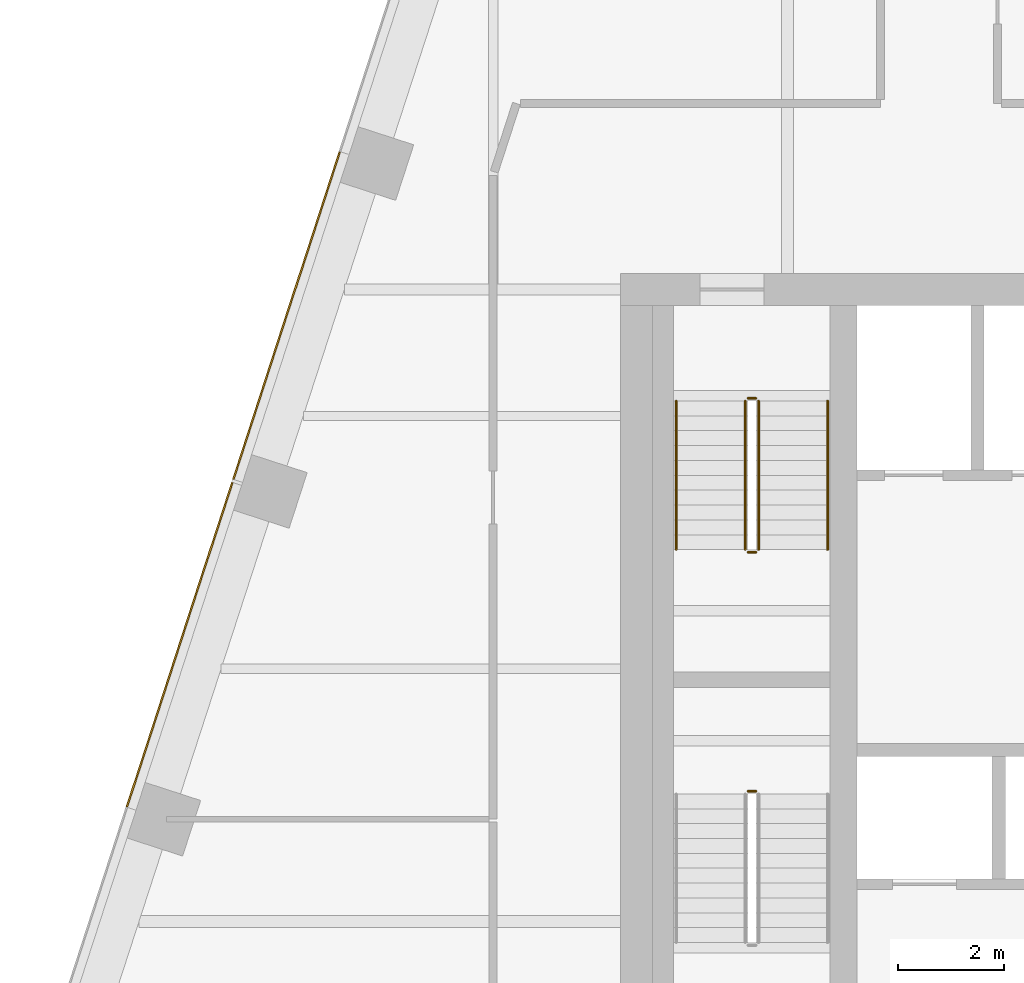
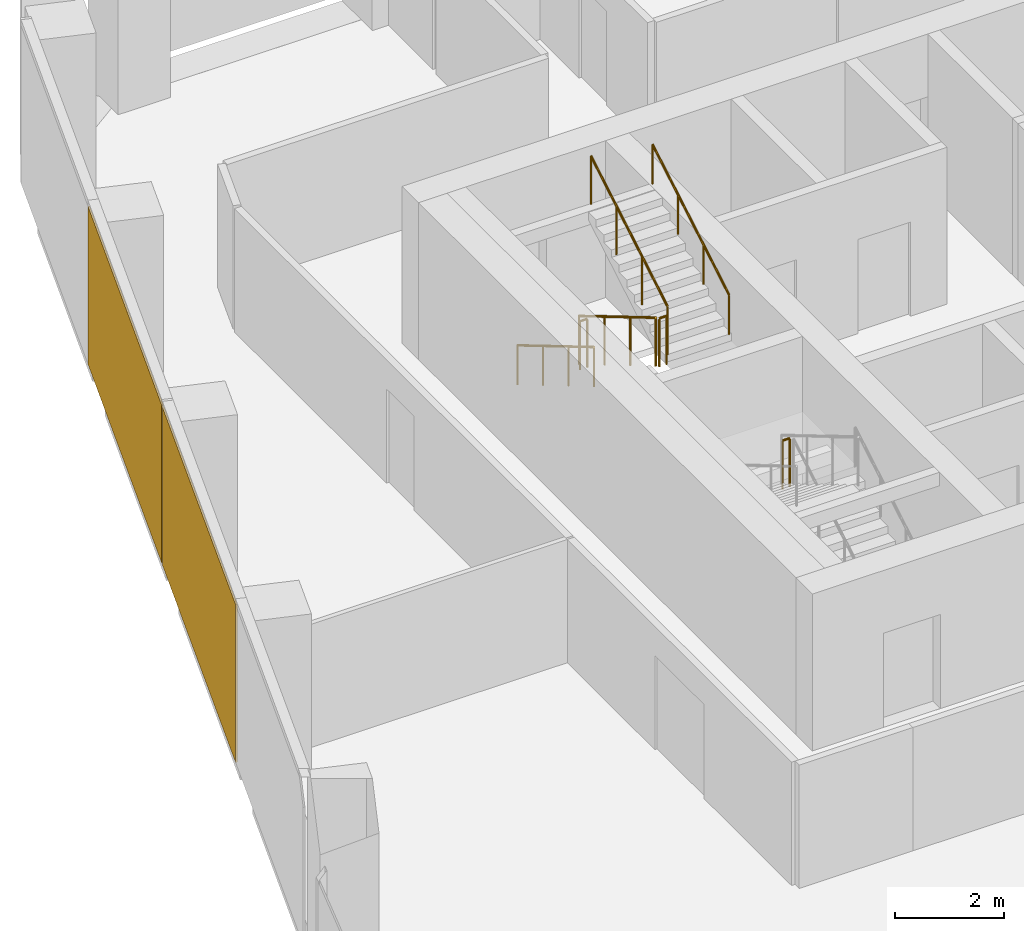
# One storey, part 14 of 15: 7 railings, 2 coverings, 1 element without a shape of its own.
"""IFC4 building model written with IfcOpenShell, lengths in metres."""

import ifcopenshell
import ifcopenshell.guid

model = None  # the IFC model being written
_history = None  # IfcOwnerHistory: only IFC2X3 demands one
_inside = {}  # id of a spatial element -> (the spatial element, [elements in it])
_under = {}  # id of a project, library or spatial element -> (it, [spatial elements below it])
_declared = {}  # id of a project -> (the project, [libraries it declares])
_typed = {}  # id of a type object -> (the type object, [elements of that type])
_made_of = {}  # id of a material, layer set ... -> (it, [elements and type objects made of it])


def new_model(schema):
    """Start an empty IFC model of exactly this schema.

    Asked for "IFC4X3", IfcOpenShell would pick the latest addendum, in which some entities
    have other attributes; the version numbers below select the first issue.
    IFC2X3 requires an IfcOwnerHistory on every rooted entity: one is made here for all.
    """
    global model, _history
    if schema == "IFC4X3":
        model = ifcopenshell.file(schema_version=(4, 3, 0, 0))
    else:
        model = ifcopenshell.file(schema=schema)
    _inside.clear()
    _under.clear()
    _declared.clear()
    _typed.clear()
    _made_of.clear()
    _history = None
    if model.schema == "IFC2X3":
        org = make("IfcOrganization", Name="unknown")
        user = make(
            "IfcPersonAndOrganization",
            ThePerson=make("IfcPerson", FamilyName="unknown"),
            TheOrganization=org,
        )
        app = make(
            "IfcApplication",
            ApplicationDeveloper=org,
            Version="unknown",
            ApplicationFullName="unknown",
            ApplicationIdentifier="unknown",
        )
        _history = make(
            "IfcOwnerHistory",
            OwningUser=user,
            OwningApplication=app,
            ChangeAction="ADDED",
            CreationDate=0,
        )
    return model


def make(cls, **values):
    """One entity of the class cls with the attributes given. An attribute that is None is left unset."""
    return model.create_entity(
        cls, **{name: value for name, value in values.items() if value is not None}
    )


def rooted(cls, **values):
    """An entity with a GlobalId (a new one), such as an element, a storey or a relation."""
    return make(cls, GlobalId=ifcopenshell.guid.new(), OwnerHistory=_history, **values)


def si_unit(unit_type, name, prefix=None):
    """IfcSIUnit, for example si_unit("LENGTHUNIT", "METRE", prefix="MILLI")."""
    return make("IfcSIUnit", UnitType=unit_type, Prefix=prefix, Name=name)


def assignment(units):
    """IfcUnitAssignment: the units of a project."""
    return None if units is None else make("IfcUnitAssignment", Units=units)


def point(xyz):
    """IfcCartesianPoint."""
    return None if xyz is None else make("IfcCartesianPoint", Coordinates=xyz)


def direction(xyz):
    """IfcDirection."""
    return None if xyz is None else make("IfcDirection", DirectionRatios=xyz)


def frame(location, z_axis=None, x_axis=None):
    """IfcAxis2Placement3D, a coordinate frame: its origin and axes. An axis left out is left unset."""
    return make(
        "IfcAxis2Placement3D",
        Location=point(location),
        Axis=direction(z_axis),
        RefDirection=direction(x_axis),
    )


def frame_2d(location, x_axis=None):
    """IfcAxis2Placement2D, a coordinate frame in the plane: its origin and x axis."""
    return make(
        "IfcAxis2Placement2D", Location=point(location), RefDirection=direction(x_axis)
    )


def origin():
    """The frame at (0, 0, 0) with its axes left unset."""
    return frame((0.0, 0.0, 0.0))


def origin_2d():
    """The frame at (0, 0) in the plane with its x axis left unset."""
    return frame_2d((0.0, 0.0))


def place(relative_to, where):
    """IfcLocalPlacement: puts the frame where relative to a parent placement (None: the world)."""
    return make(
        "IfcLocalPlacement", PlacementRelTo=relative_to, RelativePlacement=where
    )


def context(
    kind, dimensions, precision=None, world=None, true_north=None, identifier=None
):
    """IfcGeometricRepresentationContext, for example the 3D "Model" context."""
    return make(
        "IfcGeometricRepresentationContext",
        ContextIdentifier=identifier,
        ContextType=kind,
        CoordinateSpaceDimension=dimensions,
        Precision=precision,
        WorldCoordinateSystem=world,
        TrueNorth=true_north,
    )


def subcontext(parent, identifier, kind, view, scale=None):
    """IfcGeometricRepresentationSubContext, for example "Body" below "Model"."""
    return make(
        "IfcGeometricRepresentationSubContext",
        ContextIdentifier=identifier,
        ContextType=kind,
        ParentContext=parent,
        TargetScale=scale,
        TargetView=view,
    )


def project(units=None, contexts=None):
    """IfcProject with its units and contexts."""
    return rooted(
        "IfcProject",
        Name="project",
        RepresentationContexts=contexts,
        UnitsInContext=assignment(units),
    )


def spatial(cls, under=None, at=None, **own):
    """A site, building, storey or space (cls), placed at a placement, below another one or the project."""
    s = rooted(cls, ObjectPlacement=at, **own)
    if under is not None:
        _under.setdefault(under.id(), (under, []))[1].append(s)
    return s


def profile(cls, at=None, kind="AREA", **sizes):
    """A parametric profile (cls). Its sizes go by their IFC names, for example OverallWidth=200.0."""
    return make(cls, ProfileType=kind, Position=at, **sizes)


def rectangle(**sizes):
    """IfcRectangleProfileDef."""
    return profile("IfcRectangleProfileDef", **sizes)


def circle(**sizes):
    """IfcCircleProfileDef."""
    return profile("IfcCircleProfileDef", **sizes)


def extrude(swept, where, along, depth):
    """IfcExtrudedAreaSolid: the profile swept, set in the frame where, extruded along a direction by depth."""
    return make(
        "IfcExtrudedAreaSolid",
        SweptArea=swept,
        Position=where,
        ExtrudedDirection=direction(along),
        Depth=depth,
    )


def shape(context_of_items, identifier, shape_type, items):
    """IfcShapeRepresentation: the items that make up one representation, for example the "Body"."""
    return make(
        "IfcShapeRepresentation",
        ContextOfItems=context_of_items,
        RepresentationIdentifier=identifier,
        RepresentationType=shape_type,
        Items=items,
    )


def material(Name=None, Category=None):
    """IfcMaterial."""
    return make("IfcMaterial", Name=Name, Category=Category)


def layer(
    of_material, thickness, ventilated=None, Name=None, Category=None, Priority=None
):
    """IfcMaterialLayer: one layer of a wall or slab, of a material (None: an air gap)."""
    return make(
        "IfcMaterialLayer",
        Material=of_material,
        LayerThickness=thickness,
        IsVentilated=ventilated,
        Name=Name,
        Category=Category,
        Priority=Priority,
    )


def layer_set(layers, Name=None):
    """IfcMaterialLayerSet."""
    return make("IfcMaterialLayerSet", MaterialLayers=layers, LayerSetName=Name)


def made_of(thing, what):
    """Note that an element or type object is made of a material, layer set ...; save() writes the relation."""
    if what is not None:
        _made_of.setdefault(what.id(), (what, []))[1].append(thing)
    return thing


def type_object(cls, material=None, **own):
    """A type object (cls), such as IfcWallType, which elements share."""
    return made_of(rooted(cls, **own), material)


def element(
    cls,
    number,
    at=None,
    inside=None,
    cuts=None,
    type_object=None,
    material=None,
    context=None,
    identifier="Body",
    shape_type=None,
    held_by="IfcProductDefinitionShape",
    body=None,
    shapes=None,
    **own,
):
    """One element of the class cls, such as IfcWall. Its Tag is "e" and its number.

    at: its placement. inside: the storey or other place that contains it. cuts: it is an
    opening in that element (IfcRelVoidsElement). A single representation is given by context,
    identifier, shape_type and body (its items); several are given by shapes. held_by: the class
    of the entity that holds the representations. save() writes the other relations.
    """
    e = rooted(cls, Tag="e%d" % number, ObjectPlacement=at, **own)
    if body is not None:
        shapes = [shape(context, identifier, shape_type, body)]
    if shapes is not None:
        e.Representation = make(held_by, Representations=shapes)
    if inside is not None:
        _inside.setdefault(inside.id(), (inside, []))[1].append(e)
    if cuts is not None:
        rooted(
            "IfcRelVoidsElement", RelatingBuildingElement=cuts, RelatedOpeningElement=e
        )
    if type_object is not None:
        _typed.setdefault(type_object.id(), (type_object, []))[1].append(e)
    return made_of(e, material)


def aggregate(whole, parts):
    """IfcRelAggregates: a whole, such as a stair, and the parts it consists of."""
    return rooted("IfcRelAggregates", RelatingObject=whole, RelatedObjects=parts)


def save(model, path):
    """Write the relations noted so far, then the file.

    IfcRelAggregates (storeys below a building ...), IfcRelContainedInSpatialStructure (elements
    in a storey), IfcRelDefinesByType, IfcRelAssociatesMaterial and IfcRelDeclares: one each for
    every whole, place, type object, material and project.
    """
    for whole, parts in _under.values():
        aggregate(whole, parts)
    for where, things in _inside.values():
        rooted(
            "IfcRelContainedInSpatialStructure",
            RelatedElements=things,
            RelatingStructure=where,
        )
    for kind, things in _typed.values():
        rooted("IfcRelDefinesByType", RelatedObjects=things, RelatingType=kind)
    for what, things in _made_of.values():
        rooted("IfcRelAssociatesMaterial", RelatedObjects=things, RelatingMaterial=what)
    for by, libraries in _declared.values():
        rooted("IfcRelDeclares", RelatingContext=by, RelatedDefinitions=libraries)
    model.write(path)


model = new_model("IFC4")

# Units and contexts
model_context = context("Model", 3, precision=1e-05, world=origin(), true_north=direction((0.0, 1.0)))
body_context = subcontext(model_context, "Body", "Model", "MODEL_VIEW")
ifc_project = project(units=[si_unit("LENGTHUNIT", "METRE"), si_unit("AREAUNIT", "SQUARE_METRE"), si_unit("VOLUMEUNIT", "CUBIC_METRE"), si_unit("PLANEANGLEUNIT", "RADIAN"), si_unit("MASSUNIT", "GRAM", prefix="KILO")], contexts=[model_context])

# Site, building, storey
site_placement = place(None, origin())
site = spatial("IfcSite", under=ifc_project, at=site_placement, CompositionType="ELEMENT")
building_placement = place(site_placement, origin())
building = spatial("IfcBuilding", under=site, at=building_placement, Name="Isthmus Gate Tower", CompositionType="ELEMENT")
storey_placement = place(building_placement, frame((0.0, 0.0, 245.5)))
storey = spatial("IfcBuildingStorey", under=building, at=storey_placement, Name="L62", CompositionType="ELEMENT", Elevation=245.5)

# Curtain wall, coverings
ifc_material_1 = material(Name="Aluminium, pale champagne anodised", Category="aluminium")
ifc_layer_1 = layer(ifc_material_1, 0.199951171875)
ifc_layer_set_1 = layer_set([ifc_layer_1], Name="CW-1 UNITISED CURTAIN WALL 200 DEEP")
curtain_wall_type = type_object("IfcCurtainWallType", Name="CW-1 UNITISED CURTAIN WALL 200 DEEP", PredefinedType="NOTDEFINED", material=ifc_layer_set_1)
curtain_wall_placement = place(storey_placement, origin())
curtain_wall = element("IfcCurtainWall", 1, at=curtain_wall_placement, inside=storey, type_object=curtain_wall_type, Name="CW-1 NW L62", PredefinedType="NOTDEFINED")
ifc_material_2 = material(Name="Aluminium composite panel, pale champagne anodised", Category="aluminium")
ifc_layer_2 = layer(ifc_material_2, 0.031982421875)
ifc_layer_set_2 = layer_set([ifc_layer_2], Name="CW-1 PALE METAL PANEL 32")
covering_type = type_object("IfcCoveringType", Name="CW-1 PALE METAL PANEL 32", PredefinedType="CLADDING", material=ifc_layer_set_2)
covering_1_placement = place(storey_placement, frame((-21.288330078125, 14.210693359375, 0.0), z_axis=(0.0, 0.0, 1.0), x_axis=(-0.309016994375, -0.951056516295, 0.0)))
covering_1 = element("IfcCovering", 2, at=covering_1_placement, type_object=covering_type, Name="CW-1 pale metal panel", PredefinedType="CLADDING", context=body_context, shape_type="SweptSolid", body=[
    extrude(rectangle(XDim=6.491943359375, YDim=0.031982421875, at=origin_2d()), origin(), (0.0, 0.0, 1.0), 3.52001953125),
])
covering_2_placement = place(storey_placement, frame((-23.3037109375, 8.0078125, 0.0), z_axis=(0.0, 0.0, 1.0), x_axis=(-0.309016994375, -0.951056516295, 0.0)))
covering_2 = element("IfcCovering", 3, at=covering_2_placement, type_object=covering_type, Name="CW-1 pale metal panel", PredefinedType="CLADDING", context=body_context, shape_type="SweptSolid", body=[
    extrude(rectangle(XDim=6.431884765625, YDim=0.031982421875, at=origin_2d()), origin(), (0.0, 0.0, 1.0), 3.52001953125),
])
aggregate(curtain_wall, [covering_1, covering_2])

# Railings
ifc_material_3 = material(Name="Stainless steel balustrade", Category="steel")
railing_type_1 = type_object("IfcRailingType", Name="STAIR GUARD 1100", PredefinedType="GUARDRAIL", material=ifc_material_3)
railing_1_placement = place(storey_placement, frame((-12.64990234375, 12.60009765625, 0.166015625)))
element("IfcRailing", 4, at=railing_1_placement, inside=storey, type_object=railing_type_1, Name="L62 ST1 stair guard 1", PredefinedType="GUARDRAIL", context=body_context, shape_type="SweptSolid", body=[
    extrude(circle(Radius=0.02392578125, at=origin_2d()), frame((0.0, 0.0, 1.076171875), z_axis=(0.0, -0.860339051648, 0.50972219513), x_axis=(1.0, 0.0, 0.0)), (0.0, 0.0, 1.0), 3.254638671875),
    extrude(circle(Radius=0.02099609375, at=origin_2d()), origin(), (0.0, 0.0, 1.0), 1.052001953125),
    extrude(circle(Radius=0.02099609375, at=origin_2d()), frame((0.0, -0.933349609375, 0.552978515625)), (0.0, 0.0, 1.0), 1.052001953125),
    extrude(circle(Radius=0.02099609375, at=origin_2d()), frame((0.0, -1.86669921875, 1.10595703125)), (0.0, 0.0, 1.0), 1.052001953125),
    extrude(circle(Radius=0.02099609375, at=origin_2d()), frame((0.0, -2.800048828125, 1.658935546875)), (0.0, 0.0, 1.0), 1.052001953125),
])
railing_2_placement = place(storey_placement, frame((-12.60009765625, 9.75, 1.824951171875)))
element("IfcRailing", 5, at=railing_2_placement, inside=storey, type_object=railing_type_1, Name="L62 ST1 stair guard 2", PredefinedType="GUARDRAIL", context=body_context, shape_type="SweptSolid", body=[
    extrude(circle(Radius=0.02392578125, at=origin_2d()), frame((0.0, 0.0, 1.076171875), z_axis=(1.0, 0.0, 0.0), x_axis=(0.0, 1.0, 0.0)), (0.0, 0.0, 1.0), 0.150146484375),
    extrude(circle(Radius=0.02099609375, at=origin_2d()), origin(), (0.0, 0.0, 1.0), 1.052001953125),
    extrude(circle(Radius=0.02099609375, at=origin_2d()), frame((0.150146484375, 0.0, 0.0)), (0.0, 0.0, 1.0), 1.052001953125),
])
railing_3_placement = place(storey_placement, frame((-12.39990234375, 9.800048828125, 1.990966796875)))
element("IfcRailing", 6, at=railing_3_placement, inside=storey, type_object=railing_type_1, Name="L62 ST1 stair guard 3", PredefinedType="GUARDRAIL", context=body_context, shape_type="SweptSolid", body=[
    extrude(circle(Radius=0.02392578125, at=origin_2d()), frame((0.0, 0.0, 1.076171875), z_axis=(0.0, 0.860339051648, 0.50972219513), x_axis=(-1.0, 0.0, 0.0)), (0.0, 0.0, 1.0), 3.254638671875),
    extrude(circle(Radius=0.02099609375, at=origin_2d()), origin(), (0.0, 0.0, 1.0), 1.052001953125),
    extrude(circle(Radius=0.02099609375, at=origin_2d()), frame((0.0, 0.933349609375, 0.552978515625)), (0.0, 0.0, 1.0), 1.052001953125),
    extrude(circle(Radius=0.02099609375, at=origin_2d()), frame((0.0, 1.86669921875, 1.10595703125)), (0.0, 0.0, 1.0), 1.052001953125),
    extrude(circle(Radius=0.02099609375, at=origin_2d()), frame((0.0, 2.800048828125, 1.658935546875)), (0.0, 0.0, 1.0), 1.052001953125),
])
railing_4_placement = place(storey_placement, frame((-12.60009765625, 12.64990234375, 0.0)))
element("IfcRailing", 7, at=railing_4_placement, inside=storey, type_object=railing_type_1, Name="L62 ST1 stair guard 4", PredefinedType="GUARDRAIL", context=body_context, shape_type="SweptSolid", body=[
    extrude(circle(Radius=0.02392578125, at=origin_2d()), frame((0.0, 0.0, 1.076171875), z_axis=(1.0, 0.0, 0.0), x_axis=(0.0, 1.0, 0.0)), (0.0, 0.0, 1.0), 0.150146484375),
    extrude(circle(Radius=0.02099609375, at=origin_2d()), origin(), (0.0, 0.0, 1.0), 1.052001953125),
    extrude(circle(Radius=0.02099609375, at=origin_2d()), frame((0.150146484375, 0.0, 0.0)), (0.0, 0.0, 1.0), 1.052001953125),
])
railing_5_placement = place(storey_placement, frame((-12.449951171875, 5.25, 1.824951171875)))
element("IfcRailing", 8, at=railing_5_placement, inside=storey, type_object=railing_type_1, Name="L62 ST7 stair guard 2", PredefinedType="GUARDRAIL", context=body_context, shape_type="SweptSolid", body=[
    extrude(circle(Radius=0.02392578125, at=origin_2d()), frame((0.0, 0.0, 1.076171875), z_axis=(-1.0, 0.0, 0.0), x_axis=(0.0, -1.0, 0.0)), (0.0, 0.0, 1.0), 0.150146484375),
    extrude(circle(Radius=0.02099609375, at=origin_2d()), origin(), (0.0, 0.0, 1.0), 1.052001953125),
    extrude(circle(Radius=0.02099609375, at=origin_2d()), frame((-0.150146484375, 0.0, 0.0)), (0.0, 0.0, 1.0), 1.052001953125),
])
ifc_material_4 = material(Name="Stainless steel handrail", Category="steel")
railing_type_2 = type_object("IfcRailingType", Name="STAIR HANDRAIL 900", PredefinedType="HANDRAIL", material=ifc_material_4)
railing_6_placement = place(storey_placement, frame((-13.949951171875, 12.60009765625, 0.166015625)))
element("IfcRailing", 9, at=railing_6_placement, inside=storey, type_object=railing_type_2, Name="L62 ST1 stair handrail 1", PredefinedType="HANDRAIL", context=body_context, shape_type="SweptSolid", body=[
    extrude(circle(Radius=0.02392578125, at=origin_2d()), frame((0.0, 0.0, 0.8759765625), z_axis=(0.0, -0.860339051648, 0.50972219513), x_axis=(1.0, 0.0, 0.0)), (0.0, 0.0, 1.0), 3.254638671875),
    extrude(circle(Radius=0.02099609375, at=origin_2d()), origin(), (0.0, 0.0, 1.0), 0.851806640625),
    extrude(circle(Radius=0.02099609375, at=origin_2d()), frame((0.0, -0.933349609375, 0.552978515625)), (0.0, 0.0, 1.0), 0.851806640625),
    extrude(circle(Radius=0.02099609375, at=origin_2d()), frame((0.0, -1.86669921875, 1.10595703125)), (0.0, 0.0, 1.0), 0.851806640625),
    extrude(circle(Radius=0.02099609375, at=origin_2d()), frame((0.0, -2.800048828125, 1.658935546875)), (0.0, 0.0, 1.0), 0.851806640625),
])
railing_7_placement = place(storey_placement, frame((-11.10009765625, 9.800048828125, 1.990966796875)))
element("IfcRailing", 10, at=railing_7_placement, inside=storey, type_object=railing_type_2, Name="L62 ST1 stair handrail 2", PredefinedType="HANDRAIL", context=body_context, shape_type="SweptSolid", body=[
    extrude(circle(Radius=0.02392578125, at=origin_2d()), frame((0.0, 0.0, 0.8759765625), z_axis=(0.0, 0.860339051648, 0.50972219513), x_axis=(-1.0, 0.0, 0.0)), (0.0, 0.0, 1.0), 3.254638671875),
    extrude(circle(Radius=0.02099609375, at=origin_2d()), origin(), (0.0, 0.0, 1.0), 0.851806640625),
    extrude(circle(Radius=0.02099609375, at=origin_2d()), frame((0.0, 0.933349609375, 0.552978515625)), (0.0, 0.0, 1.0), 0.851806640625),
    extrude(circle(Radius=0.02099609375, at=origin_2d()), frame((0.0, 1.86669921875, 1.10595703125)), (0.0, 0.0, 1.0), 0.851806640625),
    extrude(circle(Radius=0.02099609375, at=origin_2d()), frame((0.0, 2.800048828125, 1.658935546875)), (0.0, 0.0, 1.0), 0.851806640625),
])

save(model, "model.ifc")
